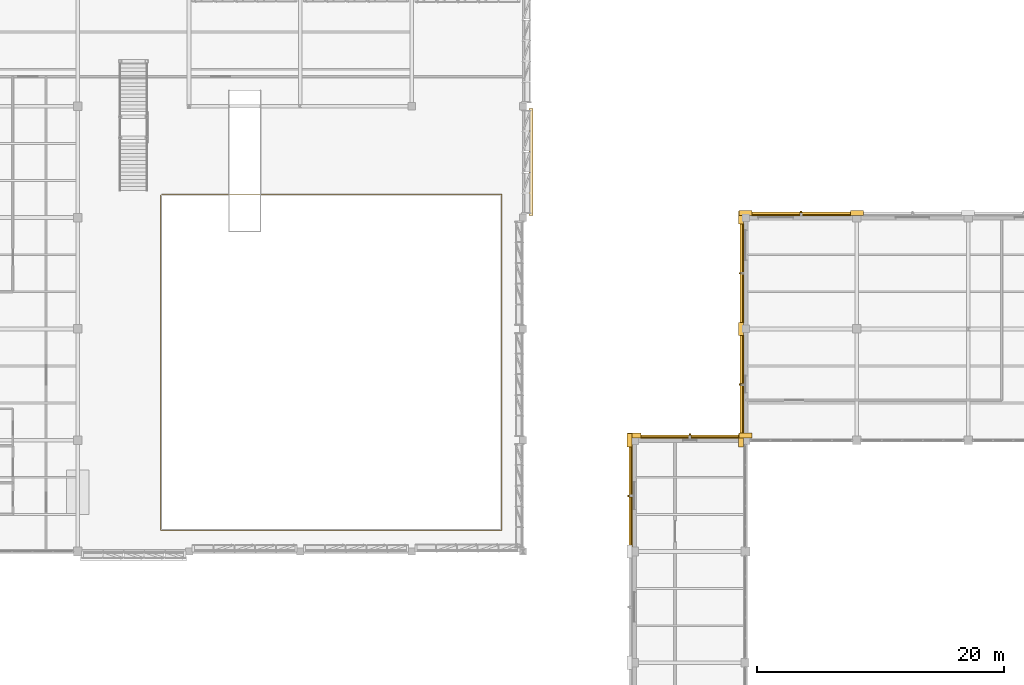
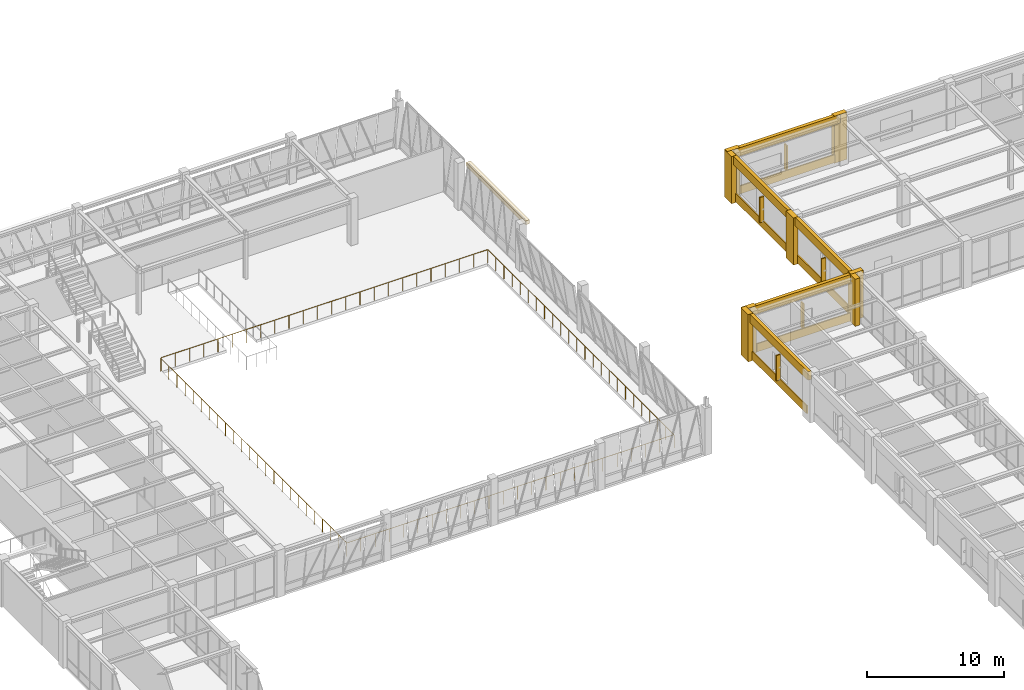
# One storey, part 107 of 108: 19 coverings, 5 shading devices, 1 railing.
"""IFC4 building model written with IfcOpenShell, lengths in metres."""

from ifc_helpers import new_model, si_unit, direction, frame, origin, origin_2d, place, context, subcontext, project, spatial, rectangle, circle, extrude, material, layer, layer_set, type_object, element, save


model = new_model("IFC4")

# Units and contexts
model_context = context("Model", 3, precision=1e-05, world=origin(), true_north=direction((0.0, 1.0)))
body_context = subcontext(model_context, "Body", "Model", "MODEL_VIEW")
ifc_project = project(units=[si_unit("LENGTHUNIT", "METRE"), si_unit("AREAUNIT", "SQUARE_METRE"), si_unit("VOLUMEUNIT", "CUBIC_METRE"), si_unit("PLANEANGLEUNIT", "RADIAN"), si_unit("MASSUNIT", "GRAM", prefix="KILO")], contexts=[model_context])

# Site, building, storey
site_placement = place(None, origin())
site = spatial("IfcSite", under=ifc_project, at=site_placement, CompositionType="ELEMENT")
building_placement = place(site_placement, origin())
building = spatial("IfcBuilding", under=site, at=building_placement, Name="Lykobir Media Centre", CompositionType="ELEMENT")
storey_placement = place(building_placement, frame((0.0, 0.0, 15.0)))
storey = spatial("IfcBuildingStorey", under=building, at=storey_placement, Name="L03", CompositionType="ELEMENT", Elevation=15.0)

# Coverings
ifc_material_1 = material(Name="Glazed Turquoise Terracotta", Category="masonry")
ifc_layer_1 = layer(ifc_material_1, 0.0400390625, Name="Glazed Turquoise Terracotta")
ifc_layer_set_1 = layer_set([ifc_layer_1], Name="Glazed Turquoise Terracotta")
covering_type_1 = type_object("IfcCoveringType", Name="CLD-TERR", PredefinedType="CLADDING", material=ifc_layer_set_1)
for number, where, z_axis, x_axis, name in (
    (1, (94.5, 72.196044921875, 0.080078125), (0.0, 0.0, 1.0), (-1.0, 0.0, 0.0), "Facade spandrel apron 534"),
    (2, (89.803955078125, 67.5, 0.080078125), (0.0, 0.0, 1.0), (0.0, -1.0, 0.0), "Facade spandrel apron 553"),
):
    element("IfcCovering", number, at=place(storey_placement, frame(where, z_axis=z_axis, x_axis=x_axis)), inside=storey, type_object=covering_type_1, Name=name, PredefinedType="CLADDING", context=body_context, shape_type="SweptSolid", body=[
        extrude(rectangle(XDim=7.929931640625, YDim=0.10009765625, at=origin_2d()), origin(), (0.0, 0.0, 1.0), 0.719970703125),
    ])
for number, where, z_axis, x_axis, name in (
    (3, (103.5, 90.196044921875, 0.080078125), (0.0, 0.0, 1.0), (-1.0, 0.0, 0.0), "Facade spandrel apron 579"),
    (4, (98.803955078125, 76.5, 0.080078125), (0.0, 0.0, 1.0), (0.0, -1.0, 0.0), "Facade spandrel apron 589"),
):
    element("IfcCovering", number, at=place(storey_placement, frame(where, z_axis=z_axis, x_axis=x_axis)), inside=storey, type_object=covering_type_1, Name=name, PredefinedType="CLADDING", context=body_context, shape_type="SweptSolid", body=[
        extrude(rectangle(XDim=7.97998046875, YDim=0.10009765625, at=origin_2d()), origin(), (0.0, 0.0, 1.0), 0.719970703125),
    ])
covering_1_placement = place(storey_placement, frame((98.803955078125, 85.5, 0.080078125), z_axis=(0.0, 0.0, 1.0), x_axis=(0.0, -1.0, 0.0)))
element("IfcCovering", 5, at=covering_1_placement, inside=storey, type_object=covering_type_1, Name="Facade spandrel apron 592", PredefinedType="CLADDING", context=body_context, shape_type="SweptSolid", body=[
    extrude(rectangle(XDim=8.030029296875, YDim=0.10009765625, at=origin_2d()), origin(), (0.0, 0.0, 1.0), 0.719970703125),
])
ifc_material_2 = material(Name="Honed Travertine Stone", Category="masonry")
ifc_layer_2 = layer(ifc_material_2, 0.050048828125, Name="Honed Travertine Stone")
ifc_layer_set_2 = layer_set([ifc_layer_2], Name="Honed Travertine Stone")
covering_type_2 = type_object("IfcCoveringType", Name="CLD-TRAV", PredefinedType="CLADDING", material=ifc_layer_set_2)
covering_2_placement = place(storey_placement, frame((81.647705078125, 94.5, 3.6298828125), z_axis=(0.0, 0.0, 1.0), x_axis=(0.0, 1.0, 0.0)))
element("IfcCovering", 6, at=covering_2_placement, inside=storey, type_object=covering_type_2, Name="V6 diagonal crease rib 497", PredefinedType="CLADDING", context=body_context, shape_type="SweptSolid", body=[
    extrude(rectangle(XDim=8.6298828125, YDim=0.360107421875, at=origin_2d()), origin(), (0.0, 0.0, 1.0), 0.340087890625),
])
for number, where, z_axis, x_axis, name in (
    (7, (99.0, 72.3798828125, 0.0), (0.0, 0.0, 1.0), (-1.0, 0.0, 0.0), "Travertine column pier 531"),
    (8, (90.0, 72.3798828125, 0.0), (0.0, 0.0, 1.0), (-1.0, 0.0, 0.0), "Travertine column pier 532"),
):
    element("IfcCovering", number, at=place(storey_placement, frame(where, z_axis=z_axis, x_axis=x_axis)), inside=storey, type_object=covering_type_2, Name=name, PredefinedType="CLADDING", context=body_context, shape_type="SweptSolid", body=[
        extrude(rectangle(XDim=1.06005859375, YDim=0.39990234375, at=origin_2d()), origin(), (0.0, 0.0, 1.0), 4.199951171875),
    ])
covering_3_placement = place(storey_placement, frame((94.5, 72.300048828125, 3.43994140625), z_axis=(0.0, 0.0, 1.0), x_axis=(-1.0, 0.0, 0.0)))
element("IfcCovering", 9, at=covering_3_placement, inside=storey, type_object=covering_type_2, Name="Travertine spandrel stringcourse 533", PredefinedType="CLADDING", context=body_context, shape_type="SweptSolid", body=[
    extrude(rectangle(XDim=9.0, YDim=0.280029296875, at=origin_2d()), origin(), (0.0, 0.0, 1.0), 0.760009765625),
])
covering_4_placement = place(storey_placement, frame((89.6201171875, 72.0, 0.0), z_axis=(0.0, 0.0, 1.0), x_axis=(0.0, -1.0, 0.0)))
element("IfcCovering", 10, at=covering_4_placement, inside=storey, type_object=covering_type_2, Name="Travertine column pier 551", PredefinedType="CLADDING", context=body_context, shape_type="SweptSolid", body=[
    extrude(rectangle(XDim=1.06005859375, YDim=0.39990234375, at=origin_2d()), origin(), (0.0, 0.0, 1.0), 4.199951171875),
])
covering_5_placement = place(storey_placement, frame((89.699951171875, 67.5, 3.43994140625), z_axis=(0.0, 0.0, 1.0), x_axis=(0.0, -1.0, 0.0)))
element("IfcCovering", 11, at=covering_5_placement, inside=storey, type_object=covering_type_2, Name="Travertine spandrel stringcourse 552", PredefinedType="CLADDING", context=body_context, shape_type="SweptSolid", body=[
    extrude(rectangle(XDim=9.0, YDim=0.280029296875, at=origin_2d()), origin(), (0.0, 0.0, 1.0), 0.760009765625),
])
for number, where, z_axis, x_axis, name in (
    (12, (108.0, 90.3798828125, 0.0), (0.0, 0.0, 1.0), (-1.0, 0.0, 0.0), "Travertine column pier 576"),
    (13, (99.0, 90.3798828125, 0.0), (0.0, 0.0, 1.0), (-1.0, 0.0, 0.0), "Travertine column pier 577"),
):
    element("IfcCovering", number, at=place(storey_placement, frame(where, z_axis=z_axis, x_axis=x_axis)), inside=storey, type_object=covering_type_2, Name=name, PredefinedType="CLADDING", context=body_context, shape_type="SweptSolid", body=[
        extrude(rectangle(XDim=1.06005859375, YDim=0.39990234375, at=origin_2d()), origin(), (0.0, 0.0, 1.0), 4.199951171875),
    ])
covering_6_placement = place(storey_placement, frame((103.5, 90.300048828125, 3.43994140625), z_axis=(0.0, 0.0, 1.0), x_axis=(-1.0, 0.0, 0.0)))
element("IfcCovering", 14, at=covering_6_placement, inside=storey, type_object=covering_type_2, Name="Travertine spandrel stringcourse 578", PredefinedType="CLADDING", context=body_context, shape_type="SweptSolid", body=[
    extrude(rectangle(XDim=9.0, YDim=0.280029296875, at=origin_2d()), origin(), (0.0, 0.0, 1.0), 0.760009765625),
])
for number, where, z_axis, x_axis, name in (
    (15, (98.6201171875, 81.0, 0.0), (0.0, 0.0, 1.0), (0.0, -1.0, 0.0), "Travertine column pier 586"),
    (16, (98.6201171875, 72.0, 0.0), (0.0, 0.0, 1.0), (0.0, -1.0, 0.0), "Travertine column pier 587"),
):
    element("IfcCovering", number, at=place(storey_placement, frame(where, z_axis=z_axis, x_axis=x_axis)), inside=storey, type_object=covering_type_2, Name=name, PredefinedType="CLADDING", context=body_context, shape_type="SweptSolid", body=[
        extrude(rectangle(XDim=1.06005859375, YDim=0.39990234375, at=origin_2d()), origin(), (0.0, 0.0, 1.0), 4.199951171875),
    ])
covering_7_placement = place(storey_placement, frame((98.699951171875, 76.5, 3.43994140625), z_axis=(0.0, 0.0, 1.0), x_axis=(0.0, -1.0, 0.0)))
element("IfcCovering", 17, at=covering_7_placement, inside=storey, type_object=covering_type_2, Name="Travertine spandrel stringcourse 588", PredefinedType="CLADDING", context=body_context, shape_type="SweptSolid", body=[
    extrude(rectangle(XDim=9.0, YDim=0.280029296875, at=origin_2d()), origin(), (0.0, 0.0, 1.0), 0.760009765625),
])
covering_8_placement = place(storey_placement, frame((98.6201171875, 90.0, 0.0), z_axis=(0.0, 0.0, 1.0), x_axis=(0.0, -1.0, 0.0)))
element("IfcCovering", 18, at=covering_8_placement, inside=storey, type_object=covering_type_2, Name="Travertine column pier 590", PredefinedType="CLADDING", context=body_context, shape_type="SweptSolid", body=[
    extrude(rectangle(XDim=1.06005859375, YDim=0.39990234375, at=origin_2d()), origin(), (0.0, 0.0, 1.0), 4.199951171875),
])
covering_9_placement = place(storey_placement, frame((98.699951171875, 85.5, 3.43994140625), z_axis=(0.0, 0.0, 1.0), x_axis=(0.0, -1.0, 0.0)))
element("IfcCovering", 19, at=covering_9_placement, inside=storey, type_object=covering_type_2, Name="Travertine spandrel stringcourse 591", PredefinedType="CLADDING", context=body_context, shape_type="SweptSolid", body=[
    extrude(rectangle(XDim=9.0, YDim=0.280029296875, at=origin_2d()), origin(), (0.0, 0.0, 1.0), 0.760009765625),
])

# Railing
ifc_material_3 = material(Name="Steel S355", Category="steel")
railing_type = type_object("IfcRailingType", Name="GR-1200", PredefinedType="BALUSTRADE", material=ifc_material_3)
railing_placement = place(storey_placement, frame((51.719970703125, 91.820068359375, 0.0)))
element("IfcRailing", 20, at=railing_placement, inside=storey, type_object=railing_type, Name="L03 stepped valley atrium balustrade", PredefinedType="BALUSTRADE", context=body_context, shape_type="SweptSolid", body=[
    extrude(circle(Radius=0.02392578125, at=origin_2d()), frame((0.0, 0.0, 1.17578125), z_axis=(0.0, -1.0, 0.0), x_axis=(1.0, 0.0, 0.0)), (0.0, 0.0, 1.0), 27.10009765625),
    extrude(circle(Radius=0.02392578125, at=origin_2d()), frame((0.0, -27.10009765625, 1.17578125), z_axis=(1.0, 0.0, 0.0), x_axis=(0.0, 1.0, 0.0)), (0.0, 0.0, 1.0), 27.56005859375),
    extrude(circle(Radius=0.02392578125, at=origin_2d()), frame((27.56005859375, -27.10009765625, 1.17578125), z_axis=(0.0, 1.0, 0.0), x_axis=(-1.0, 0.0, 0.0)), (0.0, 0.0, 1.0), 27.159912109375),
    extrude(circle(Radius=0.02392578125, at=origin_2d()), frame((27.56005859375, 0.059814453125, 1.17578125), z_axis=(-1.0, 0.0, 0.0), x_axis=(0.0, -1.0, 0.0)), (0.0, 0.0, 1.0), 27.5),
    extrude(circle(Radius=0.02099609375, at=origin_2d()), origin(), (0.0, 0.0, 1.0), 1.15185546875),
    extrude(circle(Radius=0.02099609375, at=origin_2d()), frame((0.0, -1.17822265625, 0.0)), (0.0, 0.0, 1.0), 1.15185546875),
    extrude(circle(Radius=0.02099609375, at=origin_2d()), frame((0.0, -2.3564453125, 0.0)), (0.0, 0.0, 1.0), 1.15185546875),
    extrude(circle(Radius=0.02099609375, at=origin_2d()), frame((0.0, -3.534912109375, 0.0)), (0.0, 0.0, 1.0), 1.15185546875),
    extrude(circle(Radius=0.02099609375, at=origin_2d()), frame((0.0, -4.713134765625, 0.0)), (0.0, 0.0, 1.0), 1.15185546875),
    extrude(circle(Radius=0.02099609375, at=origin_2d()), frame((0.0, -5.891357421875, 0.0)), (0.0, 0.0, 1.0), 1.15185546875),
    extrude(circle(Radius=0.02099609375, at=origin_2d()), frame((0.0, -7.069580078125, 0.0)), (0.0, 0.0, 1.0), 1.15185546875),
    extrude(circle(Radius=0.02099609375, at=origin_2d()), frame((0.0, -8.247802734375, 0.0)), (0.0, 0.0, 1.0), 1.15185546875),
    extrude(circle(Radius=0.02099609375, at=origin_2d()), frame((0.0, -9.426025390625, 0.0)), (0.0, 0.0, 1.0), 1.15185546875),
    extrude(circle(Radius=0.02099609375, at=origin_2d()), frame((0.0, -10.6044921875, 0.0)), (0.0, 0.0, 1.0), 1.15185546875),
    extrude(circle(Radius=0.02099609375, at=origin_2d()), frame((0.0, -11.78271484375, 0.0)), (0.0, 0.0, 1.0), 1.15185546875),
    extrude(circle(Radius=0.02099609375, at=origin_2d()), frame((0.0, -12.9609375, 0.0)), (0.0, 0.0, 1.0), 1.15185546875),
    extrude(circle(Radius=0.02099609375, at=origin_2d()), frame((0.0, -14.13916015625, 0.0)), (0.0, 0.0, 1.0), 1.15185546875),
    extrude(circle(Radius=0.02099609375, at=origin_2d()), frame((0.0, -15.3173828125, 0.0)), (0.0, 0.0, 1.0), 1.15185546875),
    extrude(circle(Radius=0.02099609375, at=origin_2d()), frame((0.0, -16.49560546875, 0.0)), (0.0, 0.0, 1.0), 1.15185546875),
    extrude(circle(Radius=0.02099609375, at=origin_2d()), frame((0.0, -17.674072265625, 0.0)), (0.0, 0.0, 1.0), 1.15185546875),
    extrude(circle(Radius=0.02099609375, at=origin_2d()), frame((0.0, -18.852294921875, 0.0)), (0.0, 0.0, 1.0), 1.15185546875),
    extrude(circle(Radius=0.02099609375, at=origin_2d()), frame((0.0, -20.030517578125, 0.0)), (0.0, 0.0, 1.0), 1.15185546875),
    extrude(circle(Radius=0.02099609375, at=origin_2d()), frame((0.0, -21.208740234375, 0.0)), (0.0, 0.0, 1.0), 1.15185546875),
    extrude(circle(Radius=0.02099609375, at=origin_2d()), frame((0.0, -22.386962890625, 0.0)), (0.0, 0.0, 1.0), 1.15185546875),
    extrude(circle(Radius=0.02099609375, at=origin_2d()), frame((0.0, -23.565185546875, 0.0)), (0.0, 0.0, 1.0), 1.15185546875),
    extrude(circle(Radius=0.02099609375, at=origin_2d()), frame((0.0, -24.74365234375, 0.0)), (0.0, 0.0, 1.0), 1.15185546875),
    extrude(circle(Radius=0.02099609375, at=origin_2d()), frame((0.0, -25.921875, 0.0)), (0.0, 0.0, 1.0), 1.15185546875),
    extrude(circle(Radius=0.02099609375, at=origin_2d()), frame((0.0, -27.10009765625, 0.0)), (0.0, 0.0, 1.0), 1.15185546875),
    extrude(circle(Radius=0.02099609375, at=origin_2d()), frame((1.1982421875, -27.10009765625, 0.0)), (0.0, 0.0, 1.0), 1.15185546875),
    extrude(circle(Radius=0.02099609375, at=origin_2d()), frame((2.396484375, -27.10009765625, 0.0)), (0.0, 0.0, 1.0), 1.15185546875),
    extrude(circle(Radius=0.02099609375, at=origin_2d()), frame((3.5947265625, -27.10009765625, 0.0)), (0.0, 0.0, 1.0), 1.15185546875),
    extrude(circle(Radius=0.02099609375, at=origin_2d()), frame((4.79296875, -27.10009765625, 0.0)), (0.0, 0.0, 1.0), 1.15185546875),
    extrude(circle(Radius=0.02099609375, at=origin_2d()), frame((5.9912109375, -27.10009765625, 0.0)), (0.0, 0.0, 1.0), 1.15185546875),
    extrude(circle(Radius=0.02099609375, at=origin_2d()), frame((7.189697265625, -27.10009765625, 0.0)), (0.0, 0.0, 1.0), 1.15185546875),
    extrude(circle(Radius=0.02099609375, at=origin_2d()), frame((8.387939453125, -27.10009765625, 0.0)), (0.0, 0.0, 1.0), 1.15185546875),
    extrude(circle(Radius=0.02099609375, at=origin_2d()), frame((9.586181640625, -27.10009765625, 0.0)), (0.0, 0.0, 1.0), 1.15185546875),
    extrude(circle(Radius=0.02099609375, at=origin_2d()), frame((10.784423828125, -27.10009765625, 0.0)), (0.0, 0.0, 1.0), 1.15185546875),
    extrude(circle(Radius=0.02099609375, at=origin_2d()), frame((11.982666015625, -27.10009765625, 0.0)), (0.0, 0.0, 1.0), 1.15185546875),
    extrude(circle(Radius=0.02099609375, at=origin_2d()), frame((13.180908203125, -27.10009765625, 0.0)), (0.0, 0.0, 1.0), 1.15185546875),
    extrude(circle(Radius=0.02099609375, at=origin_2d()), frame((14.379150390625, -27.10009765625, 0.0)), (0.0, 0.0, 1.0), 1.15185546875),
    extrude(circle(Radius=0.02099609375, at=origin_2d()), frame((15.577392578125, -27.10009765625, 0.0)), (0.0, 0.0, 1.0), 1.15185546875),
    extrude(circle(Radius=0.02099609375, at=origin_2d()), frame((16.775634765625, -27.10009765625, 0.0)), (0.0, 0.0, 1.0), 1.15185546875),
    extrude(circle(Radius=0.02099609375, at=origin_2d()), frame((17.973876953125, -27.10009765625, 0.0)), (0.0, 0.0, 1.0), 1.15185546875),
    extrude(circle(Radius=0.02099609375, at=origin_2d()), frame((19.172119140625, -27.10009765625, 0.0)), (0.0, 0.0, 1.0), 1.15185546875),
    extrude(circle(Radius=0.02099609375, at=origin_2d()), frame((20.370361328125, -27.10009765625, 0.0)), (0.0, 0.0, 1.0), 1.15185546875),
    extrude(circle(Radius=0.02099609375, at=origin_2d()), frame((21.56884765625, -27.10009765625, 0.0)), (0.0, 0.0, 1.0), 1.15185546875),
    extrude(circle(Radius=0.02099609375, at=origin_2d()), frame((22.76708984375, -27.10009765625, 0.0)), (0.0, 0.0, 1.0), 1.15185546875),
    extrude(circle(Radius=0.02099609375, at=origin_2d()), frame((23.96533203125, -27.10009765625, 0.0)), (0.0, 0.0, 1.0), 1.15185546875),
    extrude(circle(Radius=0.02099609375, at=origin_2d()), frame((25.16357421875, -27.10009765625, 0.0)), (0.0, 0.0, 1.0), 1.15185546875),
    extrude(circle(Radius=0.02099609375, at=origin_2d()), frame((26.36181640625, -27.10009765625, 0.0)), (0.0, 0.0, 1.0), 1.15185546875),
    extrude(circle(Radius=0.02099609375, at=origin_2d()), frame((27.56005859375, -27.10009765625, 0.0)), (0.0, 0.0, 1.0), 1.15185546875),
    extrude(circle(Radius=0.02099609375, at=origin_2d()), frame((27.56005859375, -25.919189453125, 0.0)), (0.0, 0.0, 1.0), 1.15185546875),
    extrude(circle(Radius=0.02099609375, at=origin_2d()), frame((27.56005859375, -24.73828125, 0.0)), (0.0, 0.0, 1.0), 1.15185546875),
    extrude(circle(Radius=0.02099609375, at=origin_2d()), frame((27.56005859375, -23.5576171875, 0.0)), (0.0, 0.0, 1.0), 1.15185546875),
    extrude(circle(Radius=0.02099609375, at=origin_2d()), frame((27.56005859375, -22.376708984375, 0.0)), (0.0, 0.0, 1.0), 1.15185546875),
    extrude(circle(Radius=0.02099609375, at=origin_2d()), frame((27.56005859375, -21.19580078125, 0.0)), (0.0, 0.0, 1.0), 1.15185546875),
    extrude(circle(Radius=0.02099609375, at=origin_2d()), frame((27.56005859375, -20.014892578125, 0.0)), (0.0, 0.0, 1.0), 1.15185546875),
    extrude(circle(Radius=0.02099609375, at=origin_2d()), frame((27.56005859375, -18.833984375, 0.0)), (0.0, 0.0, 1.0), 1.15185546875),
    extrude(circle(Radius=0.02099609375, at=origin_2d()), frame((27.56005859375, -17.653076171875, 0.0)), (0.0, 0.0, 1.0), 1.15185546875),
    extrude(circle(Radius=0.02099609375, at=origin_2d()), frame((27.56005859375, -16.472412109375, 0.0)), (0.0, 0.0, 1.0), 1.15185546875),
    extrude(circle(Radius=0.02099609375, at=origin_2d()), frame((27.56005859375, -15.29150390625, 0.0)), (0.0, 0.0, 1.0), 1.15185546875),
    extrude(circle(Radius=0.02099609375, at=origin_2d()), frame((27.56005859375, -14.110595703125, 0.0)), (0.0, 0.0, 1.0), 1.15185546875),
    extrude(circle(Radius=0.02099609375, at=origin_2d()), frame((27.56005859375, -12.9296875, 0.0)), (0.0, 0.0, 1.0), 1.15185546875),
    extrude(circle(Radius=0.02099609375, at=origin_2d()), frame((27.56005859375, -11.748779296875, 0.0)), (0.0, 0.0, 1.0), 1.15185546875),
    extrude(circle(Radius=0.02099609375, at=origin_2d()), frame((27.56005859375, -10.56787109375, 0.0)), (0.0, 0.0, 1.0), 1.15185546875),
    extrude(circle(Radius=0.02099609375, at=origin_2d()), frame((27.56005859375, -9.38720703125, 0.0)), (0.0, 0.0, 1.0), 1.15185546875),
    extrude(circle(Radius=0.02099609375, at=origin_2d()), frame((27.56005859375, -8.206298828125, 0.0)), (0.0, 0.0, 1.0), 1.15185546875),
    extrude(circle(Radius=0.02099609375, at=origin_2d()), frame((27.56005859375, -7.025390625, 0.0)), (0.0, 0.0, 1.0), 1.15185546875),
    extrude(circle(Radius=0.02099609375, at=origin_2d()), frame((27.56005859375, -5.844482421875, 0.0)), (0.0, 0.0, 1.0), 1.15185546875),
    extrude(circle(Radius=0.02099609375, at=origin_2d()), frame((27.56005859375, -4.66357421875, 0.0)), (0.0, 0.0, 1.0), 1.15185546875),
    extrude(circle(Radius=0.02099609375, at=origin_2d()), frame((27.56005859375, -3.482666015625, 0.0)), (0.0, 0.0, 1.0), 1.15185546875),
    extrude(circle(Radius=0.02099609375, at=origin_2d()), frame((27.56005859375, -2.302001953125, 0.0)), (0.0, 0.0, 1.0), 1.15185546875),
    extrude(circle(Radius=0.02099609375, at=origin_2d()), frame((27.56005859375, -1.12109375, 0.0)), (0.0, 0.0, 1.0), 1.15185546875),
    extrude(circle(Radius=0.02099609375, at=origin_2d()), frame((27.56005859375, 0.059814453125, 0.0)), (0.0, 0.0, 1.0), 1.15185546875),
    extrude(circle(Radius=0.02099609375, at=origin_2d()), frame((26.364501953125, 0.059814453125, 0.0)), (0.0, 0.0, 1.0), 1.15185546875),
    extrude(circle(Radius=0.02099609375, at=origin_2d()), frame((25.168701171875, 0.059814453125, 0.0)), (0.0, 0.0, 1.0), 1.15185546875),
    extrude(circle(Radius=0.02099609375, at=origin_2d()), frame((23.97314453125, 0.059814453125, 0.0)), (0.0, 0.0, 1.0), 1.15185546875),
    extrude(circle(Radius=0.02099609375, at=origin_2d()), frame((22.77734375, 0.059814453125, 0.0)), (0.0, 0.0, 1.0), 1.15185546875),
    extrude(circle(Radius=0.02099609375, at=origin_2d()), frame((21.581787109375, 0.059814453125, 0.0)), (0.0, 0.0, 1.0), 1.15185546875),
    extrude(circle(Radius=0.02099609375, at=origin_2d()), frame((20.38623046875, 0.059814453125, 0.0)), (0.0, 0.0, 1.0), 1.15185546875),
    extrude(circle(Radius=0.02099609375, at=origin_2d()), frame((19.1904296875, 0.059814453125, 0.0)), (0.0, 0.0, 1.0), 1.15185546875),
    extrude(circle(Radius=0.02099609375, at=origin_2d()), frame((17.994873046875, 0.059814453125, 0.0)), (0.0, 0.0, 1.0), 1.15185546875),
    extrude(circle(Radius=0.02099609375, at=origin_2d()), frame((16.799072265625, 0.059814453125, 0.0)), (0.0, 0.0, 1.0), 1.15185546875),
    extrude(circle(Radius=0.02099609375, at=origin_2d()), frame((15.603515625, 0.059814453125, 0.0)), (0.0, 0.0, 1.0), 1.15185546875),
    extrude(circle(Radius=0.02099609375, at=origin_2d()), frame((14.407958984375, 0.059814453125, 0.0)), (0.0, 0.0, 1.0), 1.15185546875),
    extrude(circle(Radius=0.02099609375, at=origin_2d()), frame((13.212158203125, 0.059814453125, 0.0)), (0.0, 0.0, 1.0), 1.15185546875),
    extrude(circle(Radius=0.02099609375, at=origin_2d()), frame((12.0166015625, 0.059814453125, 0.0)), (0.0, 0.0, 1.0), 1.15185546875),
    extrude(circle(Radius=0.02099609375, at=origin_2d()), frame((10.821044921875, 0.059814453125, 0.0)), (0.0, 0.0, 1.0), 1.15185546875),
    extrude(circle(Radius=0.02099609375, at=origin_2d()), frame((9.625244140625, 0.059814453125, 0.0)), (0.0, 0.0, 1.0), 1.15185546875),
    extrude(circle(Radius=0.02099609375, at=origin_2d()), frame((8.4296875, 0.059814453125, 0.0)), (0.0, 0.0, 1.0), 1.15185546875),
    extrude(circle(Radius=0.02099609375, at=origin_2d()), frame((7.23388671875, 0.059814453125, 0.0)), (0.0, 0.0, 1.0), 1.15185546875),
    extrude(circle(Radius=0.02099609375, at=origin_2d()), frame((6.038330078125, 0.059814453125, 0.0)), (0.0, 0.0, 1.0), 1.15185546875),
    extrude(circle(Radius=0.02099609375, at=origin_2d()), frame((4.8427734375, 0.059814453125, 0.0)), (0.0, 0.0, 1.0), 1.15185546875),
    extrude(circle(Radius=0.02099609375, at=origin_2d()), frame((3.64697265625, 0.059814453125, 0.0)), (0.0, 0.0, 1.0), 1.15185546875),
    extrude(circle(Radius=0.02099609375, at=origin_2d()), frame((2.451416015625, 0.059814453125, 0.0)), (0.0, 0.0, 1.0), 1.15185546875),
    extrude(circle(Radius=0.02099609375, at=origin_2d()), frame((1.255615234375, 0.059814453125, 0.0)), (0.0, 0.0, 1.0), 1.15185546875),
    extrude(circle(Radius=0.02099609375, at=origin_2d()), frame((0.06005859375, 0.059814453125, 0.0)), (0.0, 0.0, 1.0), 1.15185546875),
])

# Shading devices
shading_device_type = type_object("IfcShadingDeviceType", Name="SHD-FIN", PredefinedType="USERDEFINED", material=ifc_material_1)
for number, where, z_axis, x_axis, name in (
    (21, (94.5, 72.35009765625, 0.72509765625), (0.0, 0.0, 1.0), (-1.0, 0.0, 0.0), "Terracotta shading fin 34"),
    (22, (89.64990234375, 67.5, 0.72509765625), (0.0, 0.0, 1.0), (0.0, -1.0, 0.0), "Terracotta shading fin 40"),
    (23, (103.5, 90.35009765625, 0.72509765625), (0.0, 0.0, 1.0), (-1.0, 0.0, 0.0), "Terracotta shading fin 46"),
    (24, (98.64990234375, 76.5, 0.72509765625), (0.0, 0.0, 1.0), (0.0, -1.0, 0.0), "Terracotta shading fin 49"),
    (25, (98.64990234375, 85.5, 0.72509765625), (0.0, 0.0, 1.0), (0.0, -1.0, 0.0), "Terracotta shading fin 50"),
):
    element("IfcShadingDevice", number, at=place(storey_placement, frame(where, z_axis=z_axis, x_axis=x_axis)), inside=storey, type_object=shading_device_type, Name=name, ObjectType="FIN", PredefinedType="USERDEFINED", context=body_context, shape_type="SweptSolid", body=[
        extrude(rectangle(XDim=0.1201171875, YDim=0.35009765625, at=origin_2d()), origin(), (0.0, 0.0, 1.0), 2.25),
    ])

save(model, "model.ifc")
